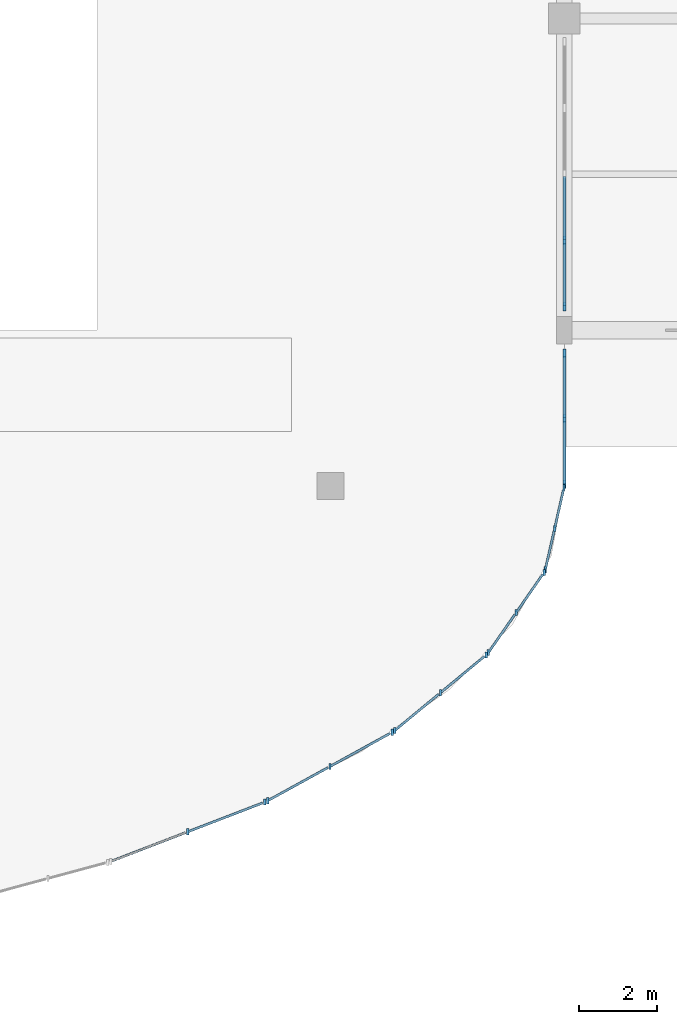
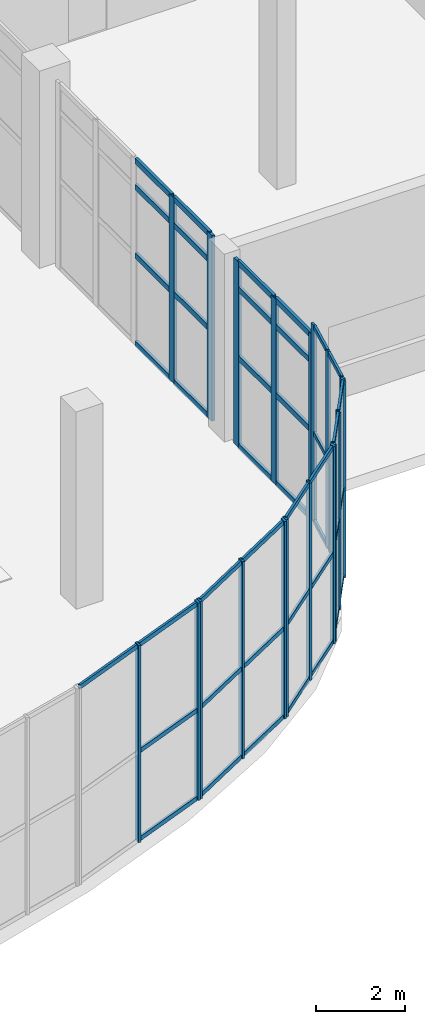
# One storey, part 32 of 85: 63 members, 7 elements without a shape of their own.
"""IFC4 building model written with IfcOpenShell, lengths in metres."""

from ifc_helpers import new_model, si_unit, direction, frame, origin, origin_2d, place, context, subcontext, project, spatial, rectangle, extrude, material, material_profile, profile_set, type_object, element, aggregate, save


model = new_model("IFC4")

# Units and contexts
model_context = context("Model", 3, precision=1e-05, world=origin(), true_north=direction((0.0, 1.0)))
body_context = subcontext(model_context, "Body", "Model", "MODEL_VIEW")
ifc_project = project(units=[si_unit("LENGTHUNIT", "METRE"), si_unit("AREAUNIT", "SQUARE_METRE"), si_unit("VOLUMEUNIT", "CUBIC_METRE"), si_unit("PLANEANGLEUNIT", "RADIAN"), si_unit("MASSUNIT", "GRAM", prefix="KILO"), si_unit("THERMODYNAMICTEMPERATUREUNIT", "KELVIN"), si_unit("POWERUNIT", "WATT")], contexts=[model_context])

# Site, building, storey
site_placement = place(None, origin())
site = spatial("IfcSite", under=ifc_project, at=site_placement, CompositionType="ELEMENT")
building_placement = place(site_placement, origin())
building = spatial("IfcBuilding", under=site, at=building_placement, Name="Solmara Park Aquatics Centre", CompositionType="ELEMENT")
storey_placement = place(building_placement, origin())
storey = spatial("IfcBuildingStorey", under=building, at=storey_placement, Name="L00", CompositionType="ELEMENT", Elevation=0.0)

# Curtain wall, members
ifc_material_1 = material(Name="Anodised Aluminium Curtain Wall Framing", Category="aluminium")
curtain_wall_type = type_object("IfcCurtainWallType", Name="ARC-CW-SYS02", PredefinedType="USERDEFINED", material=ifc_material_1)
curtain_wall_1_placement = place(storey_placement, origin())
curtain_wall_1 = element("IfcCurtainWall", 1, at=curtain_wall_1_placement, inside=storey, type_object=curtain_wall_type, Name="Curtain Wall CW-058", ObjectType="CURTAIN WALL", PredefinedType="USERDEFINED")
ifc_material_2 = material(Name="Anodised Aluminium Alloy 6063-T6", Category="aluminium")
ifc_material_profile_1 = material_profile(ifc_material_2, rectangle(XDim=0.06005859375, YDim=0.159912109375, at=origin_2d()), Name="ALU MULLION 60x160")
ifc_profile_set_1 = profile_set([ifc_material_profile_1], Name="Anodised Aluminium Alloy 6063-T6")
member_type_1 = type_object("IfcMemberType", Name="ARC-CWM-60x160", PredefinedType="MULLION", material=ifc_profile_set_1)
member_1_placement = place(storey_placement, frame((152.33447265625, 3.724365234375, 0.0), z_axis=(0.0, 0.0, 1.0), x_axis=(1.0, 0.0, 0.0)))
member_1 = element("IfcMember", 2, at=member_1_placement, type_object=member_type_1, Name="CW-058 mullion 2", PredefinedType="MULLION", context=body_context, shape_type="SweptSolid", body=[
    extrude(rectangle(XDim=0.06005859375, YDim=0.159912109375, at=origin_2d()), origin(), (0.0, 0.0, 1.0), 5.39990234375),
])
member_2_placement = place(storey_placement, frame((154.3125, 4.486572265625, 0.0), z_axis=(0.0, 0.0, 1.0), x_axis=(1.0, 0.0, 0.0)))
member_2 = element("IfcMember", 3, at=member_2_placement, type_object=member_type_1, Name="CW-058 mullion 3", PredefinedType="MULLION", context=body_context, shape_type="SweptSolid", body=[
    extrude(rectangle(XDim=0.06005859375, YDim=0.159912109375, at=origin_2d()), origin(), (0.0, 0.0, 1.0), 5.39990234375),
])

curtain_wall_2_placement = place(storey_placement, origin())
curtain_wall_2 = element("IfcCurtainWall", 4, at=curtain_wall_2_placement, inside=storey, type_object=curtain_wall_type, Name="Curtain Wall CW-061", ObjectType="CURTAIN WALL", PredefinedType="USERDEFINED")
member_3_placement = place(storey_placement, frame((154.384765625, 4.520263671875, 0.0), z_axis=(0.0, 0.0, 1.0), x_axis=(1.0, 0.0, 0.0)))
member_3 = element("IfcMember", 5, at=member_3_placement, type_object=member_type_1, Name="CW-061 mullion 1", PredefinedType="MULLION", context=body_context, shape_type="SweptSolid", body=[
    extrude(rectangle(XDim=0.06005859375, YDim=0.159912109375, at=origin_2d()), origin(), (0.0, 0.0, 1.0), 5.39990234375),
])
member_4_placement = place(storey_placement, frame((155.984375, 5.400390625, 0.0), z_axis=(0.0, 0.0, 1.0), x_axis=(1.0, 0.0, 0.0)))
member_4 = element("IfcMember", 6, at=member_4_placement, type_object=member_type_1, Name="CW-061 mullion 2", PredefinedType="MULLION", context=body_context, shape_type="SweptSolid", body=[
    extrude(rectangle(XDim=0.06005859375, YDim=0.159912109375, at=origin_2d()), origin(), (0.0, 0.0, 1.0), 5.39990234375),
])
member_5_placement = place(storey_placement, frame((157.583984375, 6.28076171875, 0.0), z_axis=(0.0, 0.0, 1.0), x_axis=(1.0, 0.0, 0.0)))
member_5 = element("IfcMember", 7, at=member_5_placement, type_object=member_type_1, Name="CW-061 mullion 3", PredefinedType="MULLION", context=body_context, shape_type="SweptSolid", body=[
    extrude(rectangle(XDim=0.06005859375, YDim=0.159912109375, at=origin_2d()), origin(), (0.0, 0.0, 1.0), 5.39990234375),
])

curtain_wall_3_placement = place(storey_placement, origin())
curtain_wall_3 = element("IfcCurtainWall", 8, at=curtain_wall_3_placement, inside=storey, type_object=curtain_wall_type, Name="Curtain Wall CW-064", ObjectType="CURTAIN WALL", PredefinedType="USERDEFINED")
member_6_placement = place(storey_placement, frame((157.64990234375, 6.325439453125, 0.0), z_axis=(0.0, 0.0, 1.0), x_axis=(1.0, 0.0, 0.0)))
member_6 = element("IfcMember", 9, at=member_6_placement, type_object=member_type_1, Name="CW-064 mullion 1", PredefinedType="MULLION", context=body_context, shape_type="SweptSolid", body=[
    extrude(rectangle(XDim=0.06005859375, YDim=0.159912109375, at=origin_2d()), origin(), (0.0, 0.0, 1.0), 5.39990234375),
])
member_7_placement = place(storey_placement, frame((158.823486328125, 7.29541015625, 0.0), z_axis=(0.0, 0.0, 1.0), x_axis=(1.0, 0.0, 0.0)))
member_7 = element("IfcMember", 10, at=member_7_placement, type_object=member_type_1, Name="CW-064 mullion 2", PredefinedType="MULLION", context=body_context, shape_type="SweptSolid", body=[
    extrude(rectangle(XDim=0.06005859375, YDim=0.159912109375, at=origin_2d()), origin(), (0.0, 0.0, 1.0), 5.39990234375),
])
member_8_placement = place(storey_placement, frame((159.9970703125, 8.264892578125, 0.0), z_axis=(0.0, 0.0, 1.0), x_axis=(1.0, 0.0, 0.0)))
member_8 = element("IfcMember", 11, at=member_8_placement, type_object=member_type_1, Name="CW-064 mullion 3", PredefinedType="MULLION", context=body_context, shape_type="SweptSolid", body=[
    extrude(rectangle(XDim=0.06005859375, YDim=0.159912109375, at=origin_2d()), origin(), (0.0, 0.0, 1.0), 5.39990234375),
])

curtain_wall_4_placement = place(storey_placement, origin())
curtain_wall_4 = element("IfcCurtainWall", 12, at=curtain_wall_4_placement, inside=storey, type_object=curtain_wall_type, Name="Curtain Wall CW-067", ObjectType="CURTAIN WALL", PredefinedType="USERDEFINED")
member_9_placement = place(storey_placement, frame((160.05078125, 8.3232421875, 0.0), z_axis=(0.0, 0.0, 1.0), x_axis=(1.0, 0.0, 0.0)))
member_9 = element("IfcMember", 13, at=member_9_placement, type_object=member_type_1, Name="CW-067 mullion 1", PredefinedType="MULLION", context=body_context, shape_type="SweptSolid", body=[
    extrude(rectangle(XDim=0.06005859375, YDim=0.159912109375, at=origin_2d()), origin(), (0.0, 0.0, 1.0), 5.39990234375),
])
member_10_placement = place(storey_placement, frame((160.765380859375, 9.351318359375, 0.0), z_axis=(0.0, 0.0, 1.0), x_axis=(1.0, 0.0, 0.0)))
member_10 = element("IfcMember", 14, at=member_10_placement, type_object=member_type_1, Name="CW-067 mullion 2", PredefinedType="MULLION", context=body_context, shape_type="SweptSolid", body=[
    extrude(rectangle(XDim=0.06005859375, YDim=0.159912109375, at=origin_2d()), origin(), (0.0, 0.0, 1.0), 5.39990234375),
])
member_11_placement = place(storey_placement, frame((161.48046875, 10.379150390625, 0.0), z_axis=(0.0, 0.0, 1.0), x_axis=(1.0, 0.0, 0.0)))
member_11 = element("IfcMember", 15, at=member_11_placement, type_object=member_type_1, Name="CW-067 mullion 3", PredefinedType="MULLION", context=body_context, shape_type="SweptSolid", body=[
    extrude(rectangle(XDim=0.06005859375, YDim=0.159912109375, at=origin_2d()), origin(), (0.0, 0.0, 1.0), 5.39990234375),
])

curtain_wall_5_placement = place(storey_placement, origin())
curtain_wall_5 = element("IfcCurtainWall", 16, at=curtain_wall_5_placement, inside=storey, type_object=curtain_wall_type, Name="Curtain Wall CW-070", ObjectType="CURTAIN WALL", PredefinedType="USERDEFINED")
member_12_placement = place(storey_placement, frame((161.51220703125, 10.450927734375, 0.0), z_axis=(0.0, 0.0, 1.0), x_axis=(1.0, 0.0, 0.0)))
member_12 = element("IfcMember", 17, at=member_12_placement, type_object=member_type_1, Name="CW-070 mullion 1", PredefinedType="MULLION", context=body_context, shape_type="SweptSolid", body=[
    extrude(rectangle(XDim=0.06005859375, YDim=0.159912109375, at=origin_2d()), origin(), (0.0, 0.0, 1.0), 5.39990234375),
])
member_13_placement = place(storey_placement, frame((161.751708984375, 11.506103515625, 0.0), z_axis=(0.0, 0.0, 1.0), x_axis=(1.0, 0.0, 0.0)))
member_13 = element("IfcMember", 18, at=member_13_placement, type_object=member_type_1, Name="CW-070 mullion 2", PredefinedType="MULLION", context=body_context, shape_type="SweptSolid", body=[
    extrude(rectangle(XDim=0.06005859375, YDim=0.159912109375, at=origin_2d()), origin(), (0.0, 0.0, 1.0), 5.39990234375),
])
member_14_placement = place(storey_placement, frame((161.9912109375, 12.56103515625, 0.0), z_axis=(0.0, 0.0, 1.0), x_axis=(1.0, 0.0, 0.0)))
member_14 = element("IfcMember", 19, at=member_14_placement, type_object=member_type_1, Name="CW-070 mullion 3", PredefinedType="MULLION", context=body_context, shape_type="SweptSolid", body=[
    extrude(rectangle(XDim=0.06005859375, YDim=0.159912109375, at=origin_2d()), origin(), (0.0, 0.0, 1.0), 5.39990234375),
])

curtain_wall_6_placement = place(storey_placement, origin())
curtain_wall_6 = element("IfcCurtainWall", 20, at=curtain_wall_6_placement, inside=storey, type_object=curtain_wall_type, Name="Curtain Wall CW-073", ObjectType="CURTAIN WALL", PredefinedType="USERDEFINED")
ifc_material_profile_2 = material_profile(ifc_material_2, rectangle(XDim=0.074951171875, YDim=0.219970703125, at=origin_2d()), Name="ALU MULLION 75x220")
ifc_profile_set_2 = profile_set([ifc_material_profile_2], Name="Anodised Aluminium Alloy 6063-T6")
member_type_2 = type_object("IfcMemberType", Name="ARC-CWM-75x220", PredefinedType="MULLION", material=ifc_profile_set_2)
member_15_placement = place(storey_placement, frame((162.0, 12.639892578125, 0.0), z_axis=(0.0, 0.0, 1.0), x_axis=(1.0, 0.0, 0.0)))
member_15 = element("IfcMember", 21, at=member_15_placement, type_object=member_type_2, Name="CW-073 mullion 1", PredefinedType="MULLION", context=body_context, shape_type="SweptSolid", body=[
    extrude(rectangle(XDim=0.074951171875, YDim=0.219970703125, at=origin_2d()), origin(), (0.0, 0.0, 1.0), 5.080078125),
])
member_16_placement = place(storey_placement, frame((162.0, 14.320068359375, 0.0), z_axis=(0.0, 0.0, 1.0), x_axis=(1.0, 0.0, 0.0)))
member_16 = element("IfcMember", 22, at=member_16_placement, type_object=member_type_2, Name="CW-073 mullion 2", PredefinedType="MULLION", context=body_context, shape_type="SweptSolid", body=[
    extrude(rectangle(XDim=0.074951171875, YDim=0.219970703125, at=origin_2d()), origin(), (0.0, 0.0, 1.0), 5.080078125),
])
member_17_placement = place(storey_placement, frame((162.0, 16.0, 0.0), z_axis=(0.0, 0.0, 1.0), x_axis=(1.0, 0.0, 0.0)))
member_17 = element("IfcMember", 23, at=member_17_placement, type_object=member_type_2, Name="CW-073 mullion 3", PredefinedType="MULLION", context=body_context, shape_type="SweptSolid", body=[
    extrude(rectangle(XDim=0.074951171875, YDim=0.219970703125, at=origin_2d()), origin(), (0.0, 0.0, 1.0), 5.080078125),
])

curtain_wall_7_placement = place(storey_placement, origin())
curtain_wall_7 = element("IfcCurtainWall", 24, at=curtain_wall_7_placement, inside=storey, type_object=curtain_wall_type, Name="Curtain Wall CW-074", ObjectType="CURTAIN WALL", PredefinedType="USERDEFINED")
member_18_placement = place(storey_placement, frame((162.0, 17.199951171875, 0.0), z_axis=(0.0, 0.0, 1.0), x_axis=(1.0, 0.0, 0.0)))
member_18 = element("IfcMember", 25, at=member_18_placement, type_object=member_type_2, Name="CW-074 mullion 1", PredefinedType="MULLION", context=body_context, shape_type="SweptSolid", body=[
    extrude(rectangle(XDim=0.074951171875, YDim=0.219970703125, at=origin_2d()), origin(), (0.0, 0.0, 1.0), 5.080078125),
])
member_19_placement = place(storey_placement, frame((162.0, 18.89990234375, 0.0), z_axis=(0.0, 0.0, 1.0), x_axis=(1.0, 0.0, 0.0)))
member_19 = element("IfcMember", 26, at=member_19_placement, type_object=member_type_2, Name="CW-074 mullion 2", PredefinedType="MULLION", context=body_context, shape_type="SweptSolid", body=[
    extrude(rectangle(XDim=0.074951171875, YDim=0.219970703125, at=origin_2d()), origin(), (0.0, 0.0, 1.0), 5.080078125),
])

# Member
ifc_material_profile_3 = material_profile(ifc_material_2, rectangle(XDim=0.06005859375, YDim=0.1201171875, at=origin_2d()), Name="ALU TRANSOM 60x120")
ifc_profile_set_3 = profile_set([ifc_material_profile_3], Name="Anodised Aluminium Alloy 6063-T6")
member_type_3 = type_object("IfcMemberType", Name="ARC-CWT-60x120", PredefinedType="USERDEFINED", material=ifc_profile_set_3)
member_20_placement = place(storey_placement, frame((150.375244140625, 2.969482421875, 5.360107421875), z_axis=(0.933123317616, 0.359556496424, 0.0), x_axis=(-0.359556496424, 0.933123317616, 0.0)))
member_20 = element("IfcMember", 27, at=member_20_placement, type_object=member_type_3, Name="CW-058 transom 3", ObjectType="TRANSOM", PredefinedType="USERDEFINED", context=body_context, shape_type="SweptSolid", body=[
    extrude(rectangle(XDim=0.06005859375, YDim=0.1201171875, at=origin_2d()), origin(), (0.0, 0.0, 1.0), 2.039794921875),
])

member_21_placement = place(storey_placement, frame((152.35302734375, 3.7314453125, 0.0400390625), z_axis=(0.933123317616, 0.359556496424, 0.0), x_axis=(-0.359556496424, 0.933123317616, 0.0)))
member_21 = element("IfcMember", 28, at=member_21_placement, type_object=member_type_3, Name="CW-058 transom 4", ObjectType="TRANSOM", PredefinedType="USERDEFINED", context=body_context, shape_type="SweptSolid", body=[
    extrude(rectangle(XDim=0.06005859375, YDim=0.1201171875, at=origin_2d()), origin(), (0.0, 0.0, 1.0), 2.039794921875),
])

member_22_placement = place(storey_placement, frame((152.35302734375, 3.7314453125, 2.449951171875), z_axis=(0.933123317616, 0.359556496424, 0.0), x_axis=(-0.359556496424, 0.933123317616, 0.0)))
member_22 = element("IfcMember", 29, at=member_22_placement, type_object=member_type_3, Name="CW-058 transom 5", ObjectType="TRANSOM", PredefinedType="USERDEFINED", context=body_context, shape_type="SweptSolid", body=[
    extrude(rectangle(XDim=0.06005859375, YDim=0.1201171875, at=origin_2d()), origin(), (0.0, 0.0, 1.0), 2.039794921875),
])

member_23_placement = place(storey_placement, frame((152.35302734375, 3.7314453125, 5.360107421875), z_axis=(0.933123317616, 0.359556496424, 0.0), x_axis=(-0.359556496424, 0.933123317616, 0.0)))
member_23 = element("IfcMember", 30, at=member_23_placement, type_object=member_type_3, Name="CW-058 transom 6", ObjectType="TRANSOM", PredefinedType="USERDEFINED", context=body_context, shape_type="SweptSolid", body=[
    extrude(rectangle(XDim=0.06005859375, YDim=0.1201171875, at=origin_2d()), origin(), (0.0, 0.0, 1.0), 2.039794921875),
])

aggregate(curtain_wall_1, [member_1, member_2, member_20, member_21, member_22, member_23])

member_24_placement = place(storey_placement, frame((154.40234375, 4.52978515625, 0.0400390625), z_axis=(0.87608301617, 0.482160293656, 0.0), x_axis=(-0.482160293656, 0.87608301617, 0.0)))
member_24 = element("IfcMember", 31, at=member_24_placement, type_object=member_type_3, Name="CW-061 transom 1", ObjectType="TRANSOM", PredefinedType="USERDEFINED", context=body_context, shape_type="SweptSolid", body=[
    extrude(rectangle(XDim=0.06005859375, YDim=0.1201171875, at=origin_2d()), origin(), (0.0, 0.0, 1.0), 1.745849609375),
])

member_25_placement = place(storey_placement, frame((154.40234375, 4.52978515625, 2.449951171875), z_axis=(0.87608301617, 0.482160293656, 0.0), x_axis=(-0.482160293656, 0.87608301617, 0.0)))
member_25 = element("IfcMember", 32, at=member_25_placement, type_object=member_type_3, Name="CW-061 transom 2", ObjectType="TRANSOM", PredefinedType="USERDEFINED", context=body_context, shape_type="SweptSolid", body=[
    extrude(rectangle(XDim=0.06005859375, YDim=0.1201171875, at=origin_2d()), origin(), (0.0, 0.0, 1.0), 1.745849609375),
])

member_26_placement = place(storey_placement, frame((154.40234375, 4.52978515625, 5.360107421875), z_axis=(0.87608301617, 0.482160293656, 0.0), x_axis=(-0.482160293656, 0.87608301617, 0.0)))
member_26 = element("IfcMember", 33, at=member_26_placement, type_object=member_type_3, Name="CW-061 transom 3", ObjectType="TRANSOM", PredefinedType="USERDEFINED", context=body_context, shape_type="SweptSolid", body=[
    extrude(rectangle(XDim=0.06005859375, YDim=0.1201171875, at=origin_2d()), origin(), (0.0, 0.0, 1.0), 1.745849609375),
])

member_27_placement = place(storey_placement, frame((156.001953125, 5.41015625, 0.0400390625), z_axis=(0.87614208275, 0.482052954388, 0.0), x_axis=(-0.482052954388, 0.87614208275, 0.0)))
member_27 = element("IfcMember", 34, at=member_27_placement, type_object=member_type_3, Name="CW-061 transom 4", ObjectType="TRANSOM", PredefinedType="USERDEFINED", context=body_context, shape_type="SweptSolid", body=[
    extrude(rectangle(XDim=0.06005859375, YDim=0.1201171875, at=origin_2d()), origin(), (0.0, 0.0, 1.0), 1.745849609375),
])

member_28_placement = place(storey_placement, frame((156.001953125, 5.41015625, 2.449951171875), z_axis=(0.87614208275, 0.482052954388, 0.0), x_axis=(-0.482052954388, 0.87614208275, 0.0)))
member_28 = element("IfcMember", 35, at=member_28_placement, type_object=member_type_3, Name="CW-061 transom 5", ObjectType="TRANSOM", PredefinedType="USERDEFINED", context=body_context, shape_type="SweptSolid", body=[
    extrude(rectangle(XDim=0.06005859375, YDim=0.1201171875, at=origin_2d()), origin(), (0.0, 0.0, 1.0), 1.745849609375),
])

member_29_placement = place(storey_placement, frame((156.001953125, 5.41015625, 5.360107421875), z_axis=(0.87614208275, 0.482052954388, 0.0), x_axis=(-0.482052954388, 0.87614208275, 0.0)))
member_29 = element("IfcMember", 36, at=member_29_placement, type_object=member_type_3, Name="CW-061 transom 6", ObjectType="TRANSOM", PredefinedType="USERDEFINED", context=body_context, shape_type="SweptSolid", body=[
    extrude(rectangle(XDim=0.06005859375, YDim=0.1201171875, at=origin_2d()), origin(), (0.0, 0.0, 1.0), 1.745849609375),
])

aggregate(curtain_wall_2, [member_3, member_4, member_5, member_24, member_25, member_26, member_27, member_28, member_29])

member_30_placement = place(storey_placement, frame((157.665283203125, 6.338134765625, 0.0400390625), z_axis=(0.770795511381, 0.637082631717, 0.0), x_axis=(-0.637082631717, 0.770795511381, 0.0)))
member_30 = element("IfcMember", 37, at=member_30_placement, type_object=member_type_3, Name="CW-064 transom 1", ObjectType="TRANSOM", PredefinedType="USERDEFINED", context=body_context, shape_type="SweptSolid", body=[
    extrude(rectangle(XDim=0.06005859375, YDim=0.1201171875, at=origin_2d()), origin(), (0.0, 0.0, 1.0), 1.4423828125),
])

member_31_placement = place(storey_placement, frame((157.665283203125, 6.338134765625, 2.449951171875), z_axis=(0.770795511381, 0.637082631717, 0.0), x_axis=(-0.637082631717, 0.770795511381, 0.0)))
member_31 = element("IfcMember", 38, at=member_31_placement, type_object=member_type_3, Name="CW-064 transom 2", ObjectType="TRANSOM", PredefinedType="USERDEFINED", context=body_context, shape_type="SweptSolid", body=[
    extrude(rectangle(XDim=0.06005859375, YDim=0.1201171875, at=origin_2d()), origin(), (0.0, 0.0, 1.0), 1.4423828125),
])

member_32_placement = place(storey_placement, frame((157.665283203125, 6.338134765625, 5.360107421875), z_axis=(0.770795511381, 0.637082631717, 0.0), x_axis=(-0.637082631717, 0.770795511381, 0.0)))
member_32 = element("IfcMember", 39, at=member_32_placement, type_object=member_type_3, Name="CW-064 transom 3", ObjectType="TRANSOM", PredefinedType="USERDEFINED", context=body_context, shape_type="SweptSolid", body=[
    extrude(rectangle(XDim=0.06005859375, YDim=0.1201171875, at=origin_2d()), origin(), (0.0, 0.0, 1.0), 1.4423828125),
])

member_33_placement = place(storey_placement, frame((158.8388671875, 7.30810546875, 0.0400390625), z_axis=(0.770878629105, 0.636982055626, 0.0), x_axis=(-0.636982055626, 0.770878629105, 0.0)))
member_33 = element("IfcMember", 40, at=member_33_placement, type_object=member_type_3, Name="CW-064 transom 4", ObjectType="TRANSOM", PredefinedType="USERDEFINED", context=body_context, shape_type="SweptSolid", body=[
    extrude(rectangle(XDim=0.06005859375, YDim=0.1201171875, at=origin_2d()), origin(), (0.0, 0.0, 1.0), 1.4423828125),
])

member_34_placement = place(storey_placement, frame((158.8388671875, 7.30810546875, 2.449951171875), z_axis=(0.770878629105, 0.636982055626, 0.0), x_axis=(-0.636982055626, 0.770878629105, 0.0)))
member_34 = element("IfcMember", 41, at=member_34_placement, type_object=member_type_3, Name="CW-064 transom 5", ObjectType="TRANSOM", PredefinedType="USERDEFINED", context=body_context, shape_type="SweptSolid", body=[
    extrude(rectangle(XDim=0.06005859375, YDim=0.1201171875, at=origin_2d()), origin(), (0.0, 0.0, 1.0), 1.4423828125),
])

member_35_placement = place(storey_placement, frame((158.8388671875, 7.30810546875, 5.360107421875), z_axis=(0.770878629105, 0.636982055626, 0.0), x_axis=(-0.636982055626, 0.770878629105, 0.0)))
member_35 = element("IfcMember", 42, at=member_35_placement, type_object=member_type_3, Name="CW-064 transom 6", ObjectType="TRANSOM", PredefinedType="USERDEFINED", context=body_context, shape_type="SweptSolid", body=[
    extrude(rectangle(XDim=0.06005859375, YDim=0.1201171875, at=origin_2d()), origin(), (0.0, 0.0, 1.0), 1.4423828125),
])

aggregate(curtain_wall_3, [member_6, member_7, member_8, member_30, member_31, member_32, member_33, member_34, member_35])

member_36_placement = place(storey_placement, frame((160.062255859375, 8.33984375, 0.0400390625), z_axis=(0.570844718132, 0.821058041664, 0.0), x_axis=(-0.821058041664, 0.570844718132, 0.0)))
member_36 = element("IfcMember", 43, at=member_36_placement, type_object=member_type_3, Name="CW-067 transom 1", ObjectType="TRANSOM", PredefinedType="USERDEFINED", context=body_context, shape_type="SweptSolid", body=[
    extrude(rectangle(XDim=0.06005859375, YDim=0.1201171875, at=origin_2d()), origin(), (0.0, 0.0, 1.0), 1.171875),
])

member_37_placement = place(storey_placement, frame((160.062255859375, 8.33984375, 2.449951171875), z_axis=(0.570844718132, 0.821058041664, 0.0), x_axis=(-0.821058041664, 0.570844718132, 0.0)))
member_37 = element("IfcMember", 44, at=member_37_placement, type_object=member_type_3, Name="CW-067 transom 2", ObjectType="TRANSOM", PredefinedType="USERDEFINED", context=body_context, shape_type="SweptSolid", body=[
    extrude(rectangle(XDim=0.06005859375, YDim=0.1201171875, at=origin_2d()), origin(), (0.0, 0.0, 1.0), 1.171875),
])

member_38_placement = place(storey_placement, frame((160.062255859375, 8.33984375, 5.360107421875), z_axis=(0.570844718132, 0.821058041664, 0.0), x_axis=(-0.821058041664, 0.570844718132, 0.0)))
member_38 = element("IfcMember", 45, at=member_38_placement, type_object=member_type_3, Name="CW-067 transom 3", ObjectType="TRANSOM", PredefinedType="USERDEFINED", context=body_context, shape_type="SweptSolid", body=[
    extrude(rectangle(XDim=0.06005859375, YDim=0.1201171875, at=origin_2d()), origin(), (0.0, 0.0, 1.0), 1.171875),
])

member_39_placement = place(storey_placement, frame((160.777099609375, 9.36767578125, 0.0400390625), z_axis=(0.570844718132, 0.821058041664, 0.0), x_axis=(-0.821058041664, 0.570844718132, 0.0)))
member_39 = element("IfcMember", 46, at=member_39_placement, type_object=member_type_3, Name="CW-067 transom 4", ObjectType="TRANSOM", PredefinedType="USERDEFINED", context=body_context, shape_type="SweptSolid", body=[
    extrude(rectangle(XDim=0.06005859375, YDim=0.1201171875, at=origin_2d()), origin(), (0.0, 0.0, 1.0), 1.171875),
])

member_40_placement = place(storey_placement, frame((160.777099609375, 9.36767578125, 2.449951171875), z_axis=(0.570844718132, 0.821058041664, 0.0), x_axis=(-0.821058041664, 0.570844718132, 0.0)))
member_40 = element("IfcMember", 47, at=member_40_placement, type_object=member_type_3, Name="CW-067 transom 5", ObjectType="TRANSOM", PredefinedType="USERDEFINED", context=body_context, shape_type="SweptSolid", body=[
    extrude(rectangle(XDim=0.06005859375, YDim=0.1201171875, at=origin_2d()), origin(), (0.0, 0.0, 1.0), 1.171875),
])

member_41_placement = place(storey_placement, frame((160.777099609375, 9.36767578125, 5.360107421875), z_axis=(0.570844718132, 0.821058041664, 0.0), x_axis=(-0.821058041664, 0.570844718132, 0.0)))
member_41 = element("IfcMember", 48, at=member_41_placement, type_object=member_type_3, Name="CW-067 transom 6", ObjectType="TRANSOM", PredefinedType="USERDEFINED", context=body_context, shape_type="SweptSolid", body=[
    extrude(rectangle(XDim=0.06005859375, YDim=0.1201171875, at=origin_2d()), origin(), (0.0, 0.0, 1.0), 1.171875),
])

aggregate(curtain_wall_4, [member_9, member_10, member_11, member_36, member_37, member_38, member_39, member_40, member_41])

member_42_placement = place(storey_placement, frame((161.5166015625, 10.470458984375, 0.0400390625), z_axis=(0.221262986653, 0.975214176854, 0.0), x_axis=(-0.975214176854, 0.221262986653, 0.0)))
member_42 = element("IfcMember", 49, at=member_42_placement, type_object=member_type_3, Name="CW-070 transom 1", ObjectType="TRANSOM", PredefinedType="USERDEFINED", context=body_context, shape_type="SweptSolid", body=[
    extrude(rectangle(XDim=0.06005859375, YDim=0.1201171875, at=origin_2d()), origin(), (0.0, 0.0, 1.0), 1.001953125),
])

member_43_placement = place(storey_placement, frame((161.5166015625, 10.470458984375, 2.449951171875), z_axis=(0.221262986653, 0.975214176854, 0.0), x_axis=(-0.975214176854, 0.221262986653, 0.0)))
member_43 = element("IfcMember", 50, at=member_43_placement, type_object=member_type_3, Name="CW-070 transom 2", ObjectType="TRANSOM", PredefinedType="USERDEFINED", context=body_context, shape_type="SweptSolid", body=[
    extrude(rectangle(XDim=0.06005859375, YDim=0.1201171875, at=origin_2d()), origin(), (0.0, 0.0, 1.0), 1.001953125),
])

member_44_placement = place(storey_placement, frame((161.5166015625, 10.470458984375, 5.360107421875), z_axis=(0.221262986653, 0.975214176854, 0.0), x_axis=(-0.975214176854, 0.221262986653, 0.0)))
member_44 = element("IfcMember", 51, at=member_44_placement, type_object=member_type_3, Name="CW-070 transom 3", ObjectType="TRANSOM", PredefinedType="USERDEFINED", context=body_context, shape_type="SweptSolid", body=[
    extrude(rectangle(XDim=0.06005859375, YDim=0.1201171875, at=origin_2d()), origin(), (0.0, 0.0, 1.0), 1.001953125),
])

member_45_placement = place(storey_placement, frame((161.756103515625, 11.525390625, 0.0400390625), z_axis=(0.221262986653, 0.975214176854, 0.0), x_axis=(-0.975214176854, 0.221262986653, 0.0)))
member_45 = element("IfcMember", 52, at=member_45_placement, type_object=member_type_3, Name="CW-070 transom 4", ObjectType="TRANSOM", PredefinedType="USERDEFINED", context=body_context, shape_type="SweptSolid", body=[
    extrude(rectangle(XDim=0.06005859375, YDim=0.1201171875, at=origin_2d()), origin(), (0.0, 0.0, 1.0), 1.001953125),
])

member_46_placement = place(storey_placement, frame((161.756103515625, 11.525390625, 2.449951171875), z_axis=(0.221262986653, 0.975214176854, 0.0), x_axis=(-0.975214176854, 0.221262986653, 0.0)))
member_46 = element("IfcMember", 53, at=member_46_placement, type_object=member_type_3, Name="CW-070 transom 5", ObjectType="TRANSOM", PredefinedType="USERDEFINED", context=body_context, shape_type="SweptSolid", body=[
    extrude(rectangle(XDim=0.06005859375, YDim=0.1201171875, at=origin_2d()), origin(), (0.0, 0.0, 1.0), 1.001953125),
])

member_47_placement = place(storey_placement, frame((161.756103515625, 11.525390625, 5.360107421875), z_axis=(0.221262986653, 0.975214176854, 0.0), x_axis=(-0.975214176854, 0.221262986653, 0.0)))
member_47 = element("IfcMember", 54, at=member_47_placement, type_object=member_type_3, Name="CW-070 transom 6", ObjectType="TRANSOM", PredefinedType="USERDEFINED", context=body_context, shape_type="SweptSolid", body=[
    extrude(rectangle(XDim=0.06005859375, YDim=0.1201171875, at=origin_2d()), origin(), (0.0, 0.0, 1.0), 1.001953125),
])

aggregate(curtain_wall_5, [member_12, member_13, member_14, member_42, member_43, member_44, member_45, member_46, member_47])

ifc_material_profile_4 = material_profile(ifc_material_2, rectangle(XDim=0.074951171875, YDim=0.14990234375, at=origin_2d()), Name="ALU TRANSOM 75x150")
ifc_profile_set_4 = profile_set([ifc_material_profile_4], Name="Anodised Aluminium Alloy 6063-T6")
member_type_4 = type_object("IfcMemberType", Name="ARC-CWT-75x150", PredefinedType="USERDEFINED", material=ifc_profile_set_4)
member_48_placement = place(storey_placement, frame((162.0, 12.659912109375, 0.0400390625), z_axis=(0.0, 1.0, 0.0), x_axis=(-1.0, 0.0, 0.0)))
member_48 = element("IfcMember", 55, at=member_48_placement, type_object=member_type_4, Name="CW-073 transom 1", ObjectType="TRANSOM", PredefinedType="USERDEFINED", context=body_context, shape_type="SweptSolid", body=[
    extrude(rectangle(XDim=0.074951171875, YDim=0.14990234375, at=origin_2d()), origin(), (0.0, 0.0, 1.0), 1.60009765625),
])

member_49_placement = place(storey_placement, frame((162.0, 12.659912109375, 2.449951171875), z_axis=(0.0, 1.0, 0.0), x_axis=(-1.0, 0.0, 0.0)))
member_49 = element("IfcMember", 56, at=member_49_placement, type_object=member_type_4, Name="CW-073 transom 2", ObjectType="TRANSOM", PredefinedType="USERDEFINED", context=body_context, shape_type="SweptSolid", body=[
    extrude(rectangle(XDim=0.074951171875, YDim=0.14990234375, at=origin_2d()), origin(), (0.0, 0.0, 1.0), 1.60009765625),
])

member_50_placement = place(storey_placement, frame((162.0, 12.659912109375, 4.330078125), z_axis=(0.0, 1.0, 0.0), x_axis=(-1.0, 0.0, 0.0)))
member_50 = element("IfcMember", 57, at=member_50_placement, type_object=member_type_4, Name="CW-073 transom 3", ObjectType="TRANSOM", PredefinedType="USERDEFINED", context=body_context, shape_type="SweptSolid", body=[
    extrude(rectangle(XDim=0.074951171875, YDim=0.14990234375, at=origin_2d()), origin(), (0.0, 0.0, 1.0), 1.60009765625),
])

member_51_placement = place(storey_placement, frame((162.0, 12.659912109375, 5.0400390625), z_axis=(0.0, 1.0, 0.0), x_axis=(-1.0, 0.0, 0.0)))
member_51 = element("IfcMember", 58, at=member_51_placement, type_object=member_type_4, Name="CW-073 transom 4", ObjectType="TRANSOM", PredefinedType="USERDEFINED", context=body_context, shape_type="SweptSolid", body=[
    extrude(rectangle(XDim=0.074951171875, YDim=0.14990234375, at=origin_2d()), origin(), (0.0, 0.0, 1.0), 1.60009765625),
])

member_52_placement = place(storey_placement, frame((162.0, 14.340087890625, 0.0400390625), z_axis=(0.0, 1.0, 0.0), x_axis=(-1.0, 0.0, 0.0)))
member_52 = element("IfcMember", 59, at=member_52_placement, type_object=member_type_4, Name="CW-073 transom 5", ObjectType="TRANSOM", PredefinedType="USERDEFINED", context=body_context, shape_type="SweptSolid", body=[
    extrude(rectangle(XDim=0.074951171875, YDim=0.14990234375, at=origin_2d()), origin(), (0.0, 0.0, 1.0), 1.599853515625),
])

member_53_placement = place(storey_placement, frame((162.0, 14.340087890625, 2.449951171875), z_axis=(0.0, 1.0, 0.0), x_axis=(-1.0, 0.0, 0.0)))
member_53 = element("IfcMember", 60, at=member_53_placement, type_object=member_type_4, Name="CW-073 transom 6", ObjectType="TRANSOM", PredefinedType="USERDEFINED", context=body_context, shape_type="SweptSolid", body=[
    extrude(rectangle(XDim=0.074951171875, YDim=0.14990234375, at=origin_2d()), origin(), (0.0, 0.0, 1.0), 1.599853515625),
])

member_54_placement = place(storey_placement, frame((162.0, 14.340087890625, 4.330078125), z_axis=(0.0, 1.0, 0.0), x_axis=(-1.0, 0.0, 0.0)))
member_54 = element("IfcMember", 61, at=member_54_placement, type_object=member_type_4, Name="CW-073 transom 7", ObjectType="TRANSOM", PredefinedType="USERDEFINED", context=body_context, shape_type="SweptSolid", body=[
    extrude(rectangle(XDim=0.074951171875, YDim=0.14990234375, at=origin_2d()), origin(), (0.0, 0.0, 1.0), 1.599853515625),
])

member_55_placement = place(storey_placement, frame((162.0, 14.340087890625, 5.0400390625), z_axis=(0.0, 1.0, 0.0), x_axis=(-1.0, 0.0, 0.0)))
member_55 = element("IfcMember", 62, at=member_55_placement, type_object=member_type_4, Name="CW-073 transom 8", ObjectType="TRANSOM", PredefinedType="USERDEFINED", context=body_context, shape_type="SweptSolid", body=[
    extrude(rectangle(XDim=0.074951171875, YDim=0.14990234375, at=origin_2d()), origin(), (0.0, 0.0, 1.0), 1.599853515625),
])

aggregate(curtain_wall_6, [member_15, member_16, member_17, member_48, member_49, member_50, member_51, member_52, member_53, member_54, member_55])

member_56_placement = place(storey_placement, frame((162.0, 17.219970703125, 0.0400390625), z_axis=(0.0, 1.0, 0.0), x_axis=(-1.0, 0.0, 0.0)))
member_56 = element("IfcMember", 63, at=member_56_placement, type_object=member_type_4, Name="CW-074 transom 1", ObjectType="TRANSOM", PredefinedType="USERDEFINED", context=body_context, shape_type="SweptSolid", body=[
    extrude(rectangle(XDim=0.074951171875, YDim=0.14990234375, at=origin_2d()), origin(), (0.0, 0.0, 1.0), 1.6201171875),
])

member_57_placement = place(storey_placement, frame((162.0, 17.219970703125, 2.449951171875), z_axis=(0.0, 1.0, 0.0), x_axis=(-1.0, 0.0, 0.0)))
member_57 = element("IfcMember", 64, at=member_57_placement, type_object=member_type_4, Name="CW-074 transom 2", ObjectType="TRANSOM", PredefinedType="USERDEFINED", context=body_context, shape_type="SweptSolid", body=[
    extrude(rectangle(XDim=0.074951171875, YDim=0.14990234375, at=origin_2d()), origin(), (0.0, 0.0, 1.0), 1.6201171875),
])

member_58_placement = place(storey_placement, frame((162.0, 17.219970703125, 4.330078125), z_axis=(0.0, 1.0, 0.0), x_axis=(-1.0, 0.0, 0.0)))
member_58 = element("IfcMember", 65, at=member_58_placement, type_object=member_type_4, Name="CW-074 transom 3", ObjectType="TRANSOM", PredefinedType="USERDEFINED", context=body_context, shape_type="SweptSolid", body=[
    extrude(rectangle(XDim=0.074951171875, YDim=0.14990234375, at=origin_2d()), origin(), (0.0, 0.0, 1.0), 1.6201171875),
])

member_59_placement = place(storey_placement, frame((162.0, 17.219970703125, 5.0400390625), z_axis=(0.0, 1.0, 0.0), x_axis=(-1.0, 0.0, 0.0)))
member_59 = element("IfcMember", 66, at=member_59_placement, type_object=member_type_4, Name="CW-074 transom 4", ObjectType="TRANSOM", PredefinedType="USERDEFINED", context=body_context, shape_type="SweptSolid", body=[
    extrude(rectangle(XDim=0.074951171875, YDim=0.14990234375, at=origin_2d()), origin(), (0.0, 0.0, 1.0), 1.6201171875),
])

member_60_placement = place(storey_placement, frame((162.0, 18.919921875, 0.0400390625), z_axis=(0.0, 1.0, 0.0), x_axis=(-1.0, 0.0, 0.0)))
member_60 = element("IfcMember", 67, at=member_60_placement, type_object=member_type_4, Name="CW-074 transom 5", ObjectType="TRANSOM", PredefinedType="USERDEFINED", context=body_context, shape_type="SweptSolid", body=[
    extrude(rectangle(XDim=0.074951171875, YDim=0.14990234375, at=origin_2d()), origin(), (0.0, 0.0, 1.0), 1.6201171875),
])

member_61_placement = place(storey_placement, frame((162.0, 18.919921875, 2.449951171875), z_axis=(0.0, 1.0, 0.0), x_axis=(-1.0, 0.0, 0.0)))
member_61 = element("IfcMember", 68, at=member_61_placement, type_object=member_type_4, Name="CW-074 transom 6", ObjectType="TRANSOM", PredefinedType="USERDEFINED", context=body_context, shape_type="SweptSolid", body=[
    extrude(rectangle(XDim=0.074951171875, YDim=0.14990234375, at=origin_2d()), origin(), (0.0, 0.0, 1.0), 1.6201171875),
])

member_62_placement = place(storey_placement, frame((162.0, 18.919921875, 4.330078125), z_axis=(0.0, 1.0, 0.0), x_axis=(-1.0, 0.0, 0.0)))
member_62 = element("IfcMember", 69, at=member_62_placement, type_object=member_type_4, Name="CW-074 transom 7", ObjectType="TRANSOM", PredefinedType="USERDEFINED", context=body_context, shape_type="SweptSolid", body=[
    extrude(rectangle(XDim=0.074951171875, YDim=0.14990234375, at=origin_2d()), origin(), (0.0, 0.0, 1.0), 1.6201171875),
])

member_63_placement = place(storey_placement, frame((162.0, 18.919921875, 5.0400390625), z_axis=(0.0, 1.0, 0.0), x_axis=(-1.0, 0.0, 0.0)))
member_63 = element("IfcMember", 70, at=member_63_placement, type_object=member_type_4, Name="CW-074 transom 8", ObjectType="TRANSOM", PredefinedType="USERDEFINED", context=body_context, shape_type="SweptSolid", body=[
    extrude(rectangle(XDim=0.074951171875, YDim=0.14990234375, at=origin_2d()), origin(), (0.0, 0.0, 1.0), 1.6201171875),
])

aggregate(curtain_wall_7, [member_18, member_19, member_56, member_57, member_58, member_59, member_60, member_61, member_62, member_63])

save(model, "model.ifc")
